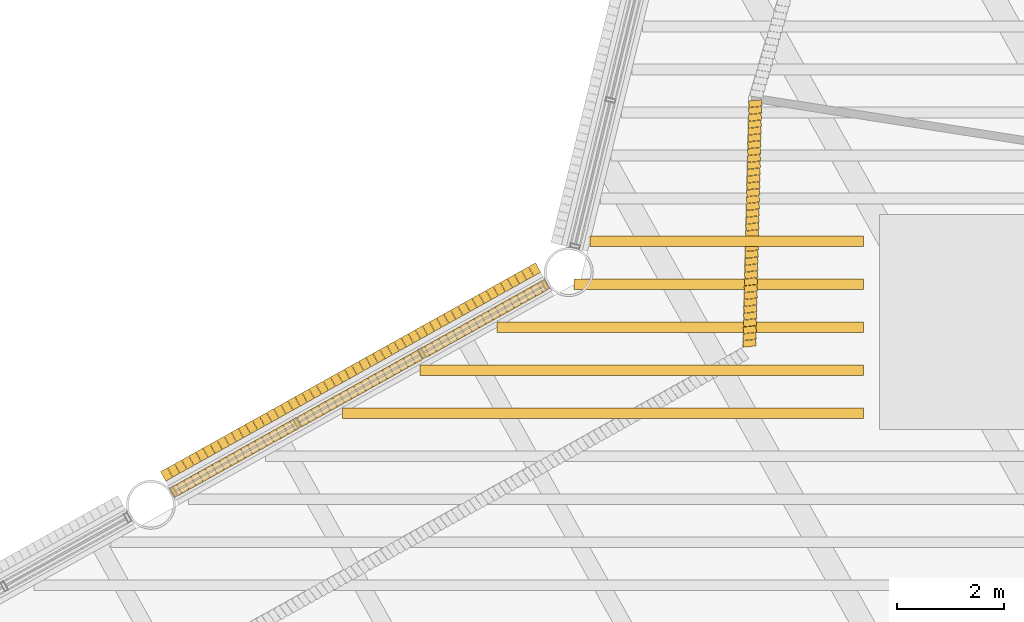
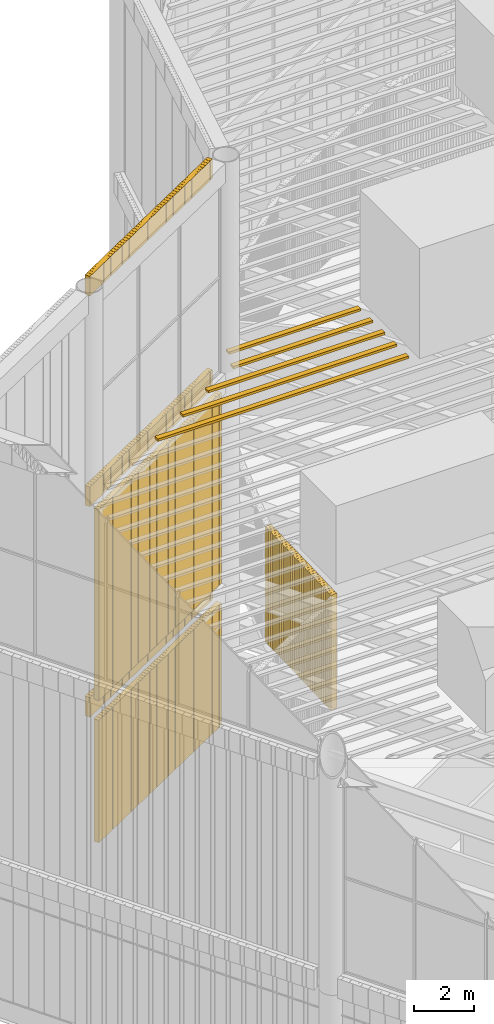
# One storey, part 99 of 117: 6 shading devices, 5 coverings.
"""IFC4 building model written with IfcOpenShell, lengths in metres."""

from ifc_helpers import new_model, si_unit, direction, frame, frame_2d, origin, origin_2d, place, context, subcontext, project, spatial, rectangle, composite_profile, extrude, material, type_object, element, save


model = new_model("IFC4")

# Units and contexts
model_context = context("Model", 3, precision=1e-05, world=origin(), true_north=direction((0.0, 1.0)))
body_context = subcontext(model_context, "Body", "Model", "MODEL_VIEW")
ifc_project = project(units=[si_unit("LENGTHUNIT", "METRE"), si_unit("AREAUNIT", "SQUARE_METRE"), si_unit("VOLUMEUNIT", "CUBIC_METRE"), si_unit("PLANEANGLEUNIT", "RADIAN"), si_unit("MASSUNIT", "GRAM", prefix="KILO")], contexts=[model_context])

# Site, building, storey
site_placement = place(None, origin())
site = spatial("IfcSite", under=ifc_project, at=site_placement, CompositionType="ELEMENT")
building_placement = place(site_placement, origin())
building = spatial("IfcBuilding", under=site, at=building_placement, Name="Tarsis Ring Headquarters", CompositionType="ELEMENT")
storey_placement = place(building_placement, frame((0.0, 0.0, 403.60009765625)))
storey = spatial("IfcBuildingStorey", under=building, at=storey_placement, Name="L95", CompositionType="ELEMENT", Elevation=403.60009765625)

# Coverings
ifc_material_1 = material(Name="Terracotta louvre", Category="masonry")
covering_type = type_object("IfcCoveringType", Name="Crown louvre fin", PredefinedType="CLADDING", material=ifc_material_1)
covering_1_placement = place(storey_placement, frame((-29.437744140625, 0.543212890625, 0.0), z_axis=(0.0, 0.0, 1.0), x_axis=(-0.873594132029, -0.486644254279, 0.0)))
element("IfcCovering", 1, at=covering_1_placement, inside=storey, type_object=covering_type, Name="Crown louvre base 14", PredefinedType="CLADDING", context=body_context, shape_type="SweptSolid", body=[
    extrude(composite_profile([rectangle(XDim=0.14501953125, YDim=0.199951171875, at=frame_2d((0.072509765625, 0.0))), rectangle(XDim=0.14501953125, YDim=0.199951171875, at=frame_2d((0.223388671875, 0.0))), rectangle(XDim=0.14501953125, YDim=0.199951171875, at=frame_2d((0.374267578125, 0.0))), rectangle(XDim=0.14501953125, YDim=0.199951171875, at=frame_2d((0.52490234375, 0.0))), rectangle(XDim=0.14501953125, YDim=0.199951171875, at=frame_2d((0.67578125, 0.0))), rectangle(XDim=0.14501953125, YDim=0.199951171875, at=frame_2d((0.82666015625, 0.0))), rectangle(XDim=0.14501953125, YDim=0.199951171875, at=frame_2d((0.9775390625, 0.0))), rectangle(XDim=0.14501953125, YDim=0.199951171875, at=frame_2d((1.12841796875, 0.0))), rectangle(XDim=0.14501953125, YDim=0.199951171875, at=frame_2d((1.279052734375, 0.0))), rectangle(XDim=0.14501953125, YDim=0.199951171875, at=frame_2d((1.429931640625, 0.0))), rectangle(XDim=0.14501953125, YDim=0.199951171875, at=frame_2d((1.580810546875, 0.0))), rectangle(XDim=0.14501953125, YDim=0.199951171875, at=frame_2d((1.731689453125, 0.0))), rectangle(XDim=0.14501953125, YDim=0.199951171875, at=frame_2d((1.882568359375, 0.0))), rectangle(XDim=0.14501953125, YDim=0.199951171875, at=frame_2d((2.033203125, 0.0))), rectangle(XDim=0.14501953125, YDim=0.199951171875, at=frame_2d((2.18408203125, 0.0))), rectangle(XDim=0.14501953125, YDim=0.199951171875, at=frame_2d((2.3349609375, 0.0))), rectangle(XDim=0.14501953125, YDim=0.199951171875, at=frame_2d((2.48583984375, 0.0))), rectangle(XDim=0.14501953125, YDim=0.199951171875, at=frame_2d((2.63671875, 0.0))), rectangle(XDim=0.14501953125, YDim=0.199951171875, at=frame_2d((2.78759765625, 0.0))), rectangle(XDim=0.14501953125, YDim=0.199951171875, at=frame_2d((2.938232421875, 0.0))), rectangle(XDim=0.14501953125, YDim=0.199951171875, at=frame_2d((3.089111328125, 0.0))), rectangle(XDim=0.14501953125, YDim=0.199951171875, at=frame_2d((3.239990234375, 0.0))), rectangle(XDim=0.14501953125, YDim=0.199951171875, at=frame_2d((3.390869140625, 0.0))), rectangle(XDim=0.14501953125, YDim=0.199951171875, at=frame_2d((3.541748046875, 0.0))), rectangle(XDim=0.14501953125, YDim=0.199951171875, at=frame_2d((3.6923828125, 0.0))), rectangle(XDim=0.14501953125, YDim=0.199951171875, at=frame_2d((3.84326171875, 0.0))), rectangle(XDim=0.14501953125, YDim=0.199951171875, at=frame_2d((3.994140625, 0.0))), rectangle(XDim=0.14501953125, YDim=0.199951171875, at=frame_2d((4.14501953125, 0.0))), rectangle(XDim=0.14501953125, YDim=0.199951171875, at=frame_2d((4.2958984375, 0.0))), rectangle(XDim=0.14501953125, YDim=0.199951171875, at=frame_2d((4.446533203125, 0.0))), rectangle(XDim=0.14501953125, YDim=0.199951171875, at=frame_2d((4.597412109375, 0.0))), rectangle(XDim=0.14501953125, YDim=0.199951171875, at=frame_2d((4.748291015625, 0.0))), rectangle(XDim=0.14501953125, YDim=0.199951171875, at=frame_2d((4.899169921875, 0.0))), rectangle(XDim=0.14501953125, YDim=0.199951171875, at=frame_2d((5.050048828125, 0.0))), rectangle(XDim=0.14501953125, YDim=0.199951171875, at=frame_2d((5.20068359375, 0.0))), rectangle(XDim=0.14501953125, YDim=0.199951171875, at=frame_2d((5.3515625, 0.0))), rectangle(XDim=0.14501953125, YDim=0.199951171875, at=frame_2d((5.50244140625, 0.0))), rectangle(XDim=0.14501953125, YDim=0.199951171875, at=frame_2d((5.6533203125, 0.0))), rectangle(XDim=0.14501953125, YDim=0.199951171875, at=frame_2d((5.80419921875, 0.0))), rectangle(XDim=0.14501953125, YDim=0.199951171875, at=frame_2d((5.955078125, 0.0))), rectangle(XDim=0.14501953125, YDim=0.199951171875, at=frame_2d((6.105712890625, 0.0))), rectangle(XDim=0.14501953125, YDim=0.199951171875, at=frame_2d((6.256591796875, 0.0))), rectangle(XDim=0.14501953125, YDim=0.199951171875, at=frame_2d((6.407470703125, 0.0))), rectangle(XDim=0.14501953125, YDim=0.199951171875, at=frame_2d((6.558349609375, 0.0))), rectangle(XDim=0.14501953125, YDim=0.199951171875, at=frame_2d((6.709228515625, 0.0))), rectangle(XDim=0.14501953125, YDim=0.199951171875, at=frame_2d((6.85986328125, 0.0))), rectangle(XDim=0.14501953125, YDim=0.199951171875, at=frame_2d((7.0107421875, 0.0))), rectangle(XDim=0.14501953125, YDim=0.199951171875, at=frame_2d((7.16162109375, 0.0))), rectangle(XDim=0.14501953125, YDim=0.199951171875, at=frame_2d((7.3125, 0.0))), rectangle(XDim=0.14501953125, YDim=0.199951171875, at=frame_2d((7.46337890625, 0.0))), rectangle(XDim=0.14501953125, YDim=0.199951171875, at=frame_2d((7.614013671875, 0.0))), rectangle(XDim=0.14501953125, YDim=0.199951171875, at=frame_2d((7.764892578125, 0.0))), rectangle(XDim=0.14501953125, YDim=0.199951171875, at=frame_2d((7.915771484375, 0.0)))]), origin(), (0.0, 0.0, 1.0), 5.0),
])
covering_2_placement = place(storey_placement, frame((-29.60791015625, 0.848876953125, 5.0), z_axis=(0.0, 0.0, 1.0), x_axis=(-0.873594132029, -0.486644254279, 0.0)))
element("IfcCovering", 2, at=covering_2_placement, inside=storey, type_object=covering_type, Name="Crown louvre fascia R14", PredefinedType="CLADDING", context=body_context, shape_type="SweptSolid", body=[
    extrude(composite_profile([rectangle(XDim=0.14501953125, YDim=0.199951171875, at=frame_2d((0.072509765625, 0.0))), rectangle(XDim=0.14501953125, YDim=0.199951171875, at=frame_2d((0.223388671875, 0.0))), rectangle(XDim=0.14501953125, YDim=0.199951171875, at=frame_2d((0.374267578125, 0.0))), rectangle(XDim=0.14501953125, YDim=0.199951171875, at=frame_2d((0.52490234375, 0.0))), rectangle(XDim=0.14501953125, YDim=0.199951171875, at=frame_2d((0.67578125, 0.0))), rectangle(XDim=0.14501953125, YDim=0.199951171875, at=frame_2d((0.82666015625, 0.0))), rectangle(XDim=0.14501953125, YDim=0.199951171875, at=frame_2d((0.9775390625, 0.0))), rectangle(XDim=0.14501953125, YDim=0.199951171875, at=frame_2d((1.12841796875, 0.0))), rectangle(XDim=0.14501953125, YDim=0.199951171875, at=frame_2d((1.279052734375, 0.0))), rectangle(XDim=0.14501953125, YDim=0.199951171875, at=frame_2d((1.429931640625, 0.0))), rectangle(XDim=0.14501953125, YDim=0.199951171875, at=frame_2d((1.580810546875, 0.0))), rectangle(XDim=0.14501953125, YDim=0.199951171875, at=frame_2d((1.731689453125, 0.0))), rectangle(XDim=0.14501953125, YDim=0.199951171875, at=frame_2d((1.882568359375, 0.0))), rectangle(XDim=0.14501953125, YDim=0.199951171875, at=frame_2d((2.033203125, 0.0))), rectangle(XDim=0.14501953125, YDim=0.199951171875, at=frame_2d((2.18408203125, 0.0))), rectangle(XDim=0.14501953125, YDim=0.199951171875, at=frame_2d((2.3349609375, 0.0))), rectangle(XDim=0.14501953125, YDim=0.199951171875, at=frame_2d((2.48583984375, 0.0))), rectangle(XDim=0.14501953125, YDim=0.199951171875, at=frame_2d((2.63671875, 0.0))), rectangle(XDim=0.14501953125, YDim=0.199951171875, at=frame_2d((2.78759765625, 0.0))), rectangle(XDim=0.14501953125, YDim=0.199951171875, at=frame_2d((2.938232421875, 0.0))), rectangle(XDim=0.14501953125, YDim=0.199951171875, at=frame_2d((3.089111328125, 0.0))), rectangle(XDim=0.14501953125, YDim=0.199951171875, at=frame_2d((3.239990234375, 0.0))), rectangle(XDim=0.14501953125, YDim=0.199951171875, at=frame_2d((3.390869140625, 0.0))), rectangle(XDim=0.14501953125, YDim=0.199951171875, at=frame_2d((3.541748046875, 0.0))), rectangle(XDim=0.14501953125, YDim=0.199951171875, at=frame_2d((3.6923828125, 0.0))), rectangle(XDim=0.14501953125, YDim=0.199951171875, at=frame_2d((3.84326171875, 0.0))), rectangle(XDim=0.14501953125, YDim=0.199951171875, at=frame_2d((3.994140625, 0.0))), rectangle(XDim=0.14501953125, YDim=0.199951171875, at=frame_2d((4.14501953125, 0.0))), rectangle(XDim=0.14501953125, YDim=0.199951171875, at=frame_2d((4.2958984375, 0.0))), rectangle(XDim=0.14501953125, YDim=0.199951171875, at=frame_2d((4.446533203125, 0.0))), rectangle(XDim=0.14501953125, YDim=0.199951171875, at=frame_2d((4.597412109375, 0.0))), rectangle(XDim=0.14501953125, YDim=0.199951171875, at=frame_2d((4.748291015625, 0.0))), rectangle(XDim=0.14501953125, YDim=0.199951171875, at=frame_2d((4.899169921875, 0.0))), rectangle(XDim=0.14501953125, YDim=0.199951171875, at=frame_2d((5.050048828125, 0.0))), rectangle(XDim=0.14501953125, YDim=0.199951171875, at=frame_2d((5.20068359375, 0.0))), rectangle(XDim=0.14501953125, YDim=0.199951171875, at=frame_2d((5.3515625, 0.0))), rectangle(XDim=0.14501953125, YDim=0.199951171875, at=frame_2d((5.50244140625, 0.0))), rectangle(XDim=0.14501953125, YDim=0.199951171875, at=frame_2d((5.6533203125, 0.0))), rectangle(XDim=0.14501953125, YDim=0.199951171875, at=frame_2d((5.80419921875, 0.0))), rectangle(XDim=0.14501953125, YDim=0.199951171875, at=frame_2d((5.955078125, 0.0))), rectangle(XDim=0.14501953125, YDim=0.199951171875, at=frame_2d((6.105712890625, 0.0))), rectangle(XDim=0.14501953125, YDim=0.199951171875, at=frame_2d((6.256591796875, 0.0))), rectangle(XDim=0.14501953125, YDim=0.199951171875, at=frame_2d((6.407470703125, 0.0))), rectangle(XDim=0.14501953125, YDim=0.199951171875, at=frame_2d((6.558349609375, 0.0))), rectangle(XDim=0.14501953125, YDim=0.199951171875, at=frame_2d((6.709228515625, 0.0))), rectangle(XDim=0.14501953125, YDim=0.199951171875, at=frame_2d((6.85986328125, 0.0))), rectangle(XDim=0.14501953125, YDim=0.199951171875, at=frame_2d((7.0107421875, 0.0))), rectangle(XDim=0.14501953125, YDim=0.199951171875, at=frame_2d((7.16162109375, 0.0))), rectangle(XDim=0.14501953125, YDim=0.199951171875, at=frame_2d((7.3125, 0.0))), rectangle(XDim=0.14501953125, YDim=0.199951171875, at=frame_2d((7.46337890625, 0.0))), rectangle(XDim=0.14501953125, YDim=0.199951171875, at=frame_2d((7.614013671875, 0.0))), rectangle(XDim=0.14501953125, YDim=0.199951171875, at=frame_2d((7.764892578125, 0.0))), rectangle(XDim=0.14501953125, YDim=0.199951171875, at=frame_2d((7.915771484375, 0.0)))]), origin(), (0.0, 0.0, 1.0), 0.7998046875),
])
covering_3_placement = place(storey_placement, frame((-29.60791015625, 0.848876953125, 13.599853515625), z_axis=(0.0, 0.0, 1.0), x_axis=(-0.873594132029, -0.486644254279, 0.0)))
element("IfcCovering", 3, at=covering_3_placement, inside=storey, type_object=covering_type, Name="Crown louvre fascia M14", PredefinedType="CLADDING", context=body_context, shape_type="SweptSolid", body=[
    extrude(composite_profile([rectangle(XDim=0.14501953125, YDim=0.199951171875, at=frame_2d((0.072509765625, 0.0))), rectangle(XDim=0.14501953125, YDim=0.199951171875, at=frame_2d((0.223388671875, 0.0))), rectangle(XDim=0.14501953125, YDim=0.199951171875, at=frame_2d((0.374267578125, 0.0))), rectangle(XDim=0.14501953125, YDim=0.199951171875, at=frame_2d((0.52490234375, 0.0))), rectangle(XDim=0.14501953125, YDim=0.199951171875, at=frame_2d((0.67578125, 0.0))), rectangle(XDim=0.14501953125, YDim=0.199951171875, at=frame_2d((0.82666015625, 0.0))), rectangle(XDim=0.14501953125, YDim=0.199951171875, at=frame_2d((0.9775390625, 0.0))), rectangle(XDim=0.14501953125, YDim=0.199951171875, at=frame_2d((1.12841796875, 0.0))), rectangle(XDim=0.14501953125, YDim=0.199951171875, at=frame_2d((1.279052734375, 0.0))), rectangle(XDim=0.14501953125, YDim=0.199951171875, at=frame_2d((1.429931640625, 0.0))), rectangle(XDim=0.14501953125, YDim=0.199951171875, at=frame_2d((1.580810546875, 0.0))), rectangle(XDim=0.14501953125, YDim=0.199951171875, at=frame_2d((1.731689453125, 0.0))), rectangle(XDim=0.14501953125, YDim=0.199951171875, at=frame_2d((1.882568359375, 0.0))), rectangle(XDim=0.14501953125, YDim=0.199951171875, at=frame_2d((2.033203125, 0.0))), rectangle(XDim=0.14501953125, YDim=0.199951171875, at=frame_2d((2.18408203125, 0.0))), rectangle(XDim=0.14501953125, YDim=0.199951171875, at=frame_2d((2.3349609375, 0.0))), rectangle(XDim=0.14501953125, YDim=0.199951171875, at=frame_2d((2.48583984375, 0.0))), rectangle(XDim=0.14501953125, YDim=0.199951171875, at=frame_2d((2.63671875, 0.0))), rectangle(XDim=0.14501953125, YDim=0.199951171875, at=frame_2d((2.78759765625, 0.0))), rectangle(XDim=0.14501953125, YDim=0.199951171875, at=frame_2d((2.938232421875, 0.0))), rectangle(XDim=0.14501953125, YDim=0.199951171875, at=frame_2d((3.089111328125, 0.0))), rectangle(XDim=0.14501953125, YDim=0.199951171875, at=frame_2d((3.239990234375, 0.0))), rectangle(XDim=0.14501953125, YDim=0.199951171875, at=frame_2d((3.390869140625, 0.0))), rectangle(XDim=0.14501953125, YDim=0.199951171875, at=frame_2d((3.541748046875, 0.0))), rectangle(XDim=0.14501953125, YDim=0.199951171875, at=frame_2d((3.6923828125, 0.0))), rectangle(XDim=0.14501953125, YDim=0.199951171875, at=frame_2d((3.84326171875, 0.0))), rectangle(XDim=0.14501953125, YDim=0.199951171875, at=frame_2d((3.994140625, 0.0))), rectangle(XDim=0.14501953125, YDim=0.199951171875, at=frame_2d((4.14501953125, 0.0))), rectangle(XDim=0.14501953125, YDim=0.199951171875, at=frame_2d((4.2958984375, 0.0))), rectangle(XDim=0.14501953125, YDim=0.199951171875, at=frame_2d((4.446533203125, 0.0))), rectangle(XDim=0.14501953125, YDim=0.199951171875, at=frame_2d((4.597412109375, 0.0))), rectangle(XDim=0.14501953125, YDim=0.199951171875, at=frame_2d((4.748291015625, 0.0))), rectangle(XDim=0.14501953125, YDim=0.199951171875, at=frame_2d((4.899169921875, 0.0))), rectangle(XDim=0.14501953125, YDim=0.199951171875, at=frame_2d((5.050048828125, 0.0))), rectangle(XDim=0.14501953125, YDim=0.199951171875, at=frame_2d((5.20068359375, 0.0))), rectangle(XDim=0.14501953125, YDim=0.199951171875, at=frame_2d((5.3515625, 0.0))), rectangle(XDim=0.14501953125, YDim=0.199951171875, at=frame_2d((5.50244140625, 0.0))), rectangle(XDim=0.14501953125, YDim=0.199951171875, at=frame_2d((5.6533203125, 0.0))), rectangle(XDim=0.14501953125, YDim=0.199951171875, at=frame_2d((5.80419921875, 0.0))), rectangle(XDim=0.14501953125, YDim=0.199951171875, at=frame_2d((5.955078125, 0.0))), rectangle(XDim=0.14501953125, YDim=0.199951171875, at=frame_2d((6.105712890625, 0.0))), rectangle(XDim=0.14501953125, YDim=0.199951171875, at=frame_2d((6.256591796875, 0.0))), rectangle(XDim=0.14501953125, YDim=0.199951171875, at=frame_2d((6.407470703125, 0.0))), rectangle(XDim=0.14501953125, YDim=0.199951171875, at=frame_2d((6.558349609375, 0.0))), rectangle(XDim=0.14501953125, YDim=0.199951171875, at=frame_2d((6.709228515625, 0.0))), rectangle(XDim=0.14501953125, YDim=0.199951171875, at=frame_2d((6.85986328125, 0.0))), rectangle(XDim=0.14501953125, YDim=0.199951171875, at=frame_2d((7.0107421875, 0.0))), rectangle(XDim=0.14501953125, YDim=0.199951171875, at=frame_2d((7.16162109375, 0.0))), rectangle(XDim=0.14501953125, YDim=0.199951171875, at=frame_2d((7.3125, 0.0))), rectangle(XDim=0.14501953125, YDim=0.199951171875, at=frame_2d((7.46337890625, 0.0))), rectangle(XDim=0.14501953125, YDim=0.199951171875, at=frame_2d((7.614013671875, 0.0))), rectangle(XDim=0.14501953125, YDim=0.199951171875, at=frame_2d((7.764892578125, 0.0))), rectangle(XDim=0.14501953125, YDim=0.199951171875, at=frame_2d((7.915771484375, 0.0)))]), origin(), (0.0, 0.0, 1.0), 0.800048828125),
])
covering_4_placement = place(storey_placement, frame((-29.60791015625, 0.848876953125, 22.199951171875), z_axis=(0.0, 0.0, 1.0), x_axis=(-0.873594132029, -0.486644254279, 0.0)))
element("IfcCovering", 4, at=covering_4_placement, inside=storey, type_object=covering_type, Name="Crown louvre fascia T14", PredefinedType="CLADDING", context=body_context, shape_type="SweptSolid", body=[
    extrude(composite_profile([rectangle(XDim=0.14501953125, YDim=0.199951171875, at=frame_2d((0.072509765625, 0.0))), rectangle(XDim=0.14501953125, YDim=0.199951171875, at=frame_2d((0.223388671875, 0.0))), rectangle(XDim=0.14501953125, YDim=0.199951171875, at=frame_2d((0.374267578125, 0.0))), rectangle(XDim=0.14501953125, YDim=0.199951171875, at=frame_2d((0.52490234375, 0.0))), rectangle(XDim=0.14501953125, YDim=0.199951171875, at=frame_2d((0.67578125, 0.0))), rectangle(XDim=0.14501953125, YDim=0.199951171875, at=frame_2d((0.82666015625, 0.0))), rectangle(XDim=0.14501953125, YDim=0.199951171875, at=frame_2d((0.9775390625, 0.0))), rectangle(XDim=0.14501953125, YDim=0.199951171875, at=frame_2d((1.12841796875, 0.0))), rectangle(XDim=0.14501953125, YDim=0.199951171875, at=frame_2d((1.279052734375, 0.0))), rectangle(XDim=0.14501953125, YDim=0.199951171875, at=frame_2d((1.429931640625, 0.0))), rectangle(XDim=0.14501953125, YDim=0.199951171875, at=frame_2d((1.580810546875, 0.0))), rectangle(XDim=0.14501953125, YDim=0.199951171875, at=frame_2d((1.731689453125, 0.0))), rectangle(XDim=0.14501953125, YDim=0.199951171875, at=frame_2d((1.882568359375, 0.0))), rectangle(XDim=0.14501953125, YDim=0.199951171875, at=frame_2d((2.033203125, 0.0))), rectangle(XDim=0.14501953125, YDim=0.199951171875, at=frame_2d((2.18408203125, 0.0))), rectangle(XDim=0.14501953125, YDim=0.199951171875, at=frame_2d((2.3349609375, 0.0))), rectangle(XDim=0.14501953125, YDim=0.199951171875, at=frame_2d((2.48583984375, 0.0))), rectangle(XDim=0.14501953125, YDim=0.199951171875, at=frame_2d((2.63671875, 0.0))), rectangle(XDim=0.14501953125, YDim=0.199951171875, at=frame_2d((2.78759765625, 0.0))), rectangle(XDim=0.14501953125, YDim=0.199951171875, at=frame_2d((2.938232421875, 0.0))), rectangle(XDim=0.14501953125, YDim=0.199951171875, at=frame_2d((3.089111328125, 0.0))), rectangle(XDim=0.14501953125, YDim=0.199951171875, at=frame_2d((3.239990234375, 0.0))), rectangle(XDim=0.14501953125, YDim=0.199951171875, at=frame_2d((3.390869140625, 0.0))), rectangle(XDim=0.14501953125, YDim=0.199951171875, at=frame_2d((3.541748046875, 0.0))), rectangle(XDim=0.14501953125, YDim=0.199951171875, at=frame_2d((3.6923828125, 0.0))), rectangle(XDim=0.14501953125, YDim=0.199951171875, at=frame_2d((3.84326171875, 0.0))), rectangle(XDim=0.14501953125, YDim=0.199951171875, at=frame_2d((3.994140625, 0.0))), rectangle(XDim=0.14501953125, YDim=0.199951171875, at=frame_2d((4.14501953125, 0.0))), rectangle(XDim=0.14501953125, YDim=0.199951171875, at=frame_2d((4.2958984375, 0.0))), rectangle(XDim=0.14501953125, YDim=0.199951171875, at=frame_2d((4.446533203125, 0.0))), rectangle(XDim=0.14501953125, YDim=0.199951171875, at=frame_2d((4.597412109375, 0.0))), rectangle(XDim=0.14501953125, YDim=0.199951171875, at=frame_2d((4.748291015625, 0.0))), rectangle(XDim=0.14501953125, YDim=0.199951171875, at=frame_2d((4.899169921875, 0.0))), rectangle(XDim=0.14501953125, YDim=0.199951171875, at=frame_2d((5.050048828125, 0.0))), rectangle(XDim=0.14501953125, YDim=0.199951171875, at=frame_2d((5.20068359375, 0.0))), rectangle(XDim=0.14501953125, YDim=0.199951171875, at=frame_2d((5.3515625, 0.0))), rectangle(XDim=0.14501953125, YDim=0.199951171875, at=frame_2d((5.50244140625, 0.0))), rectangle(XDim=0.14501953125, YDim=0.199951171875, at=frame_2d((5.6533203125, 0.0))), rectangle(XDim=0.14501953125, YDim=0.199951171875, at=frame_2d((5.80419921875, 0.0))), rectangle(XDim=0.14501953125, YDim=0.199951171875, at=frame_2d((5.955078125, 0.0))), rectangle(XDim=0.14501953125, YDim=0.199951171875, at=frame_2d((6.105712890625, 0.0))), rectangle(XDim=0.14501953125, YDim=0.199951171875, at=frame_2d((6.256591796875, 0.0))), rectangle(XDim=0.14501953125, YDim=0.199951171875, at=frame_2d((6.407470703125, 0.0))), rectangle(XDim=0.14501953125, YDim=0.199951171875, at=frame_2d((6.558349609375, 0.0))), rectangle(XDim=0.14501953125, YDim=0.199951171875, at=frame_2d((6.709228515625, 0.0))), rectangle(XDim=0.14501953125, YDim=0.199951171875, at=frame_2d((6.85986328125, 0.0))), rectangle(XDim=0.14501953125, YDim=0.199951171875, at=frame_2d((7.0107421875, 0.0))), rectangle(XDim=0.14501953125, YDim=0.199951171875, at=frame_2d((7.16162109375, 0.0))), rectangle(XDim=0.14501953125, YDim=0.199951171875, at=frame_2d((7.3125, 0.0))), rectangle(XDim=0.14501953125, YDim=0.199951171875, at=frame_2d((7.46337890625, 0.0))), rectangle(XDim=0.14501953125, YDim=0.199951171875, at=frame_2d((7.614013671875, 0.0))), rectangle(XDim=0.14501953125, YDim=0.199951171875, at=frame_2d((7.764892578125, 0.0))), rectangle(XDim=0.14501953125, YDim=0.199951171875, at=frame_2d((7.915771484375, 0.0)))]), origin(), (0.0, 0.0, 1.0), 0.800048828125),
])
covering_5_placement = place(storey_placement, frame((-29.437744140625, 0.543212890625, 5.7998046875), z_axis=(0.0, 0.0, 1.0), x_axis=(-0.873594132029, -0.486644254279, 0.0)))
element("IfcCovering", 5, at=covering_5_placement, inside=storey, type_object=covering_type, Name="Crown louvre L14", PredefinedType="CLADDING", context=body_context, shape_type="SweptSolid", body=[
    extrude(composite_profile([rectangle(XDim=0.14501953125, YDim=0.199951171875, at=frame_2d((0.072509765625, 0.0))), rectangle(XDim=0.14501953125, YDim=0.199951171875, at=frame_2d((0.223388671875, 0.0))), rectangle(XDim=0.14501953125, YDim=0.199951171875, at=frame_2d((0.374267578125, 0.0))), rectangle(XDim=0.14501953125, YDim=0.199951171875, at=frame_2d((0.52490234375, 0.0))), rectangle(XDim=0.14501953125, YDim=0.199951171875, at=frame_2d((0.67578125, 0.0))), rectangle(XDim=0.14501953125, YDim=0.199951171875, at=frame_2d((0.82666015625, 0.0))), rectangle(XDim=0.14501953125, YDim=0.199951171875, at=frame_2d((0.9775390625, 0.0))), rectangle(XDim=0.14501953125, YDim=0.199951171875, at=frame_2d((1.12841796875, 0.0))), rectangle(XDim=0.14501953125, YDim=0.199951171875, at=frame_2d((1.279052734375, 0.0))), rectangle(XDim=0.14501953125, YDim=0.199951171875, at=frame_2d((1.429931640625, 0.0))), rectangle(XDim=0.14501953125, YDim=0.199951171875, at=frame_2d((1.580810546875, 0.0))), rectangle(XDim=0.14501953125, YDim=0.199951171875, at=frame_2d((1.731689453125, 0.0))), rectangle(XDim=0.14501953125, YDim=0.199951171875, at=frame_2d((1.882568359375, 0.0))), rectangle(XDim=0.14501953125, YDim=0.199951171875, at=frame_2d((2.033203125, 0.0))), rectangle(XDim=0.14501953125, YDim=0.199951171875, at=frame_2d((2.18408203125, 0.0))), rectangle(XDim=0.14501953125, YDim=0.199951171875, at=frame_2d((2.3349609375, 0.0))), rectangle(XDim=0.14501953125, YDim=0.199951171875, at=frame_2d((2.48583984375, 0.0))), rectangle(XDim=0.14501953125, YDim=0.199951171875, at=frame_2d((2.63671875, 0.0))), rectangle(XDim=0.14501953125, YDim=0.199951171875, at=frame_2d((2.78759765625, 0.0))), rectangle(XDim=0.14501953125, YDim=0.199951171875, at=frame_2d((2.938232421875, 0.0))), rectangle(XDim=0.14501953125, YDim=0.199951171875, at=frame_2d((3.089111328125, 0.0))), rectangle(XDim=0.14501953125, YDim=0.199951171875, at=frame_2d((3.239990234375, 0.0))), rectangle(XDim=0.14501953125, YDim=0.199951171875, at=frame_2d((3.390869140625, 0.0))), rectangle(XDim=0.14501953125, YDim=0.199951171875, at=frame_2d((3.541748046875, 0.0))), rectangle(XDim=0.14501953125, YDim=0.199951171875, at=frame_2d((3.6923828125, 0.0))), rectangle(XDim=0.14501953125, YDim=0.199951171875, at=frame_2d((3.84326171875, 0.0))), rectangle(XDim=0.14501953125, YDim=0.199951171875, at=frame_2d((3.994140625, 0.0))), rectangle(XDim=0.14501953125, YDim=0.199951171875, at=frame_2d((4.14501953125, 0.0))), rectangle(XDim=0.14501953125, YDim=0.199951171875, at=frame_2d((4.2958984375, 0.0))), rectangle(XDim=0.14501953125, YDim=0.199951171875, at=frame_2d((4.446533203125, 0.0))), rectangle(XDim=0.14501953125, YDim=0.199951171875, at=frame_2d((4.597412109375, 0.0))), rectangle(XDim=0.14501953125, YDim=0.199951171875, at=frame_2d((4.748291015625, 0.0))), rectangle(XDim=0.14501953125, YDim=0.199951171875, at=frame_2d((4.899169921875, 0.0))), rectangle(XDim=0.14501953125, YDim=0.199951171875, at=frame_2d((5.050048828125, 0.0))), rectangle(XDim=0.14501953125, YDim=0.199951171875, at=frame_2d((5.20068359375, 0.0))), rectangle(XDim=0.14501953125, YDim=0.199951171875, at=frame_2d((5.3515625, 0.0))), rectangle(XDim=0.14501953125, YDim=0.199951171875, at=frame_2d((5.50244140625, 0.0))), rectangle(XDim=0.14501953125, YDim=0.199951171875, at=frame_2d((5.6533203125, 0.0))), rectangle(XDim=0.14501953125, YDim=0.199951171875, at=frame_2d((5.80419921875, 0.0))), rectangle(XDim=0.14501953125, YDim=0.199951171875, at=frame_2d((5.955078125, 0.0))), rectangle(XDim=0.14501953125, YDim=0.199951171875, at=frame_2d((6.105712890625, 0.0))), rectangle(XDim=0.14501953125, YDim=0.199951171875, at=frame_2d((6.256591796875, 0.0))), rectangle(XDim=0.14501953125, YDim=0.199951171875, at=frame_2d((6.407470703125, 0.0))), rectangle(XDim=0.14501953125, YDim=0.199951171875, at=frame_2d((6.558349609375, 0.0))), rectangle(XDim=0.14501953125, YDim=0.199951171875, at=frame_2d((6.709228515625, 0.0))), rectangle(XDim=0.14501953125, YDim=0.199951171875, at=frame_2d((6.85986328125, 0.0))), rectangle(XDim=0.14501953125, YDim=0.199951171875, at=frame_2d((7.0107421875, 0.0))), rectangle(XDim=0.14501953125, YDim=0.199951171875, at=frame_2d((7.16162109375, 0.0))), rectangle(XDim=0.14501953125, YDim=0.199951171875, at=frame_2d((7.3125, 0.0))), rectangle(XDim=0.14501953125, YDim=0.199951171875, at=frame_2d((7.46337890625, 0.0))), rectangle(XDim=0.14501953125, YDim=0.199951171875, at=frame_2d((7.614013671875, 0.0))), rectangle(XDim=0.14501953125, YDim=0.199951171875, at=frame_2d((7.764892578125, 0.0))), rectangle(XDim=0.14501953125, YDim=0.199951171875, at=frame_2d((7.915771484375, 0.0)))]), origin(), (0.0, 0.0, 1.0), 7.800048828125),
])

# Shading devices
ifc_material_2 = material(Name="Aluminium louvre", Category="aluminium")
shading_device_type_1 = type_object("IfcShadingDeviceType", Name="Crown roof louvre blade", PredefinedType="USERDEFINED", material=ifc_material_2)
shading_device_1_placement = place(storey_placement, frame((-28.39892578125, -1.8642578125, 14.39990234375), z_axis=(0.0, 0.0, 1.0), x_axis=(1.0, 0.0, 0.0)))
element("IfcShadingDevice", 6, at=shading_device_1_placement, inside=storey, type_object=shading_device_type_1, Name="Crown roof louvre 64", ObjectType="Crown roof louvre", PredefinedType="USERDEFINED", context=body_context, shape_type="SweptSolid", body=[
    extrude(rectangle(XDim=9.693115234375, YDim=0.199951171875, at=origin_2d()), origin(), (0.0, 0.0, 1.0), 0.10009765625),
])
shading_device_2_placement = place(storey_placement, frame((-27.680908203125, -1.064208984375, 14.39990234375), z_axis=(0.0, 0.0, 1.0), x_axis=(1.0, 0.0, 0.0)))
element("IfcShadingDevice", 7, at=shading_device_2_placement, inside=storey, type_object=shading_device_type_1, Name="Crown roof louvre 66", ObjectType="Crown roof louvre", PredefinedType="USERDEFINED", context=body_context, shape_type="SweptSolid", body=[
    extrude(rectangle(XDim=8.2568359375, YDim=0.199951171875, at=origin_2d()), origin(), (0.0, 0.0, 1.0), 0.10009765625),
])
shading_device_3_placement = place(storey_placement, frame((-26.962890625, -0.26416015625, 14.39990234375), z_axis=(0.0, 0.0, 1.0), x_axis=(1.0, 0.0, 0.0)))
element("IfcShadingDevice", 8, at=shading_device_3_placement, inside=storey, type_object=shading_device_type_1, Name="Crown roof louvre 68", ObjectType="Crown roof louvre", PredefinedType="USERDEFINED", context=body_context, shape_type="SweptSolid", body=[
    extrude(rectangle(XDim=6.82080078125, YDim=0.199951171875, at=origin_2d()), origin(), (0.0, 0.0, 1.0), 0.10009765625),
])
shading_device_4_placement = place(storey_placement, frame((-26.24462890625, 0.535888671875, 14.39990234375), z_axis=(0.0, 0.0, 1.0), x_axis=(1.0, 0.0, 0.0)))
element("IfcShadingDevice", 9, at=shading_device_4_placement, inside=storey, type_object=shading_device_type_1, Name="Crown roof louvre 70", ObjectType="Crown roof louvre", PredefinedType="USERDEFINED", context=body_context, shape_type="SweptSolid", body=[
    extrude(rectangle(XDim=5.384521484375, YDim=0.199951171875, at=origin_2d()), origin(), (0.0, 0.0, 1.0), 0.10009765625),
])
shading_device_5_placement = place(storey_placement, frame((-26.097412109375, 1.335693359375, 14.39990234375), z_axis=(0.0, 0.0, 1.0), x_axis=(1.0, 0.0, 0.0)))
element("IfcShadingDevice", 10, at=shading_device_5_placement, inside=storey, type_object=shading_device_type_1, Name="Crown roof louvre 72", ObjectType="Crown roof louvre", PredefinedType="USERDEFINED", context=body_context, shape_type="SweptSolid", body=[
    extrude(rectangle(XDim=5.08984375, YDim=0.199951171875, at=origin_2d()), origin(), (0.0, 0.0, 1.0), 0.10009765625),
])
shading_device_type_2 = type_object("IfcShadingDeviceType", Name="Plant louvre fin", PredefinedType="USERDEFINED", material=ifc_material_2)
shading_device_6_placement = place(storey_placement, frame((-25.564208984375, 3.9775390625, 0.0), z_axis=(0.0, 0.0, 1.0), x_axis=(-0.024056254626, -0.999735645554, 0.0)))
element("IfcShadingDevice", 11, at=shading_device_6_placement, inside=storey, type_object=shading_device_type_2, Name="Louvre L95-30", ObjectType="Louvre", PredefinedType="USERDEFINED", context=body_context, shape_type="SweptSolid", body=[
    extrude(composite_profile([rectangle(XDim=0.1201171875, YDim=0.239990234375, at=frame_2d((0.076171875, 0.0), x_axis=(0.990268068742, 0.13917310096))), rectangle(XDim=0.1201171875, YDim=0.239990234375, at=frame_2d((0.203857421875, 0.0), x_axis=(0.990268068742, 0.13917310096))), rectangle(XDim=0.1201171875, YDim=0.239990234375, at=frame_2d((0.331298828125, 0.0), x_axis=(0.990268068742, 0.13917310096))), rectangle(XDim=0.1201171875, YDim=0.239990234375, at=frame_2d((0.458984375, 0.0), x_axis=(0.990268068742, 0.13917310096))), rectangle(XDim=0.1201171875, YDim=0.239990234375, at=frame_2d((0.58642578125, 0.0), x_axis=(0.990268068742, 0.13917310096))), rectangle(XDim=0.1201171875, YDim=0.239990234375, at=frame_2d((0.714111328125, 0.0), x_axis=(0.990268068742, 0.13917310096))), rectangle(XDim=0.1201171875, YDim=0.239990234375, at=frame_2d((0.841796875, 0.0), x_axis=(0.990268068742, 0.13917310096))), rectangle(XDim=0.1201171875, YDim=0.239990234375, at=frame_2d((0.96923828125, 0.0), x_axis=(0.990268068742, 0.13917310096))), rectangle(XDim=0.1201171875, YDim=0.239990234375, at=frame_2d((1.096923828125, 0.0), x_axis=(0.990268068742, 0.13917310096))), rectangle(XDim=0.1201171875, YDim=0.239990234375, at=frame_2d((1.224365234375, 0.0), x_axis=(0.990268068742, 0.13917310096))), rectangle(XDim=0.1201171875, YDim=0.239990234375, at=frame_2d((1.35205078125, 0.0), x_axis=(0.990268068742, 0.13917310096))), rectangle(XDim=0.1201171875, YDim=0.239990234375, at=frame_2d((1.479736328125, 0.0), x_axis=(0.990268068742, 0.13917310096))), rectangle(XDim=0.1201171875, YDim=0.239990234375, at=frame_2d((1.607177734375, 0.0), x_axis=(0.990268068742, 0.13917310096))), rectangle(XDim=0.1201171875, YDim=0.239990234375, at=frame_2d((1.73486328125, 0.0), x_axis=(0.990268068742, 0.13917310096))), rectangle(XDim=0.1201171875, YDim=0.239990234375, at=frame_2d((1.8623046875, 0.0), x_axis=(0.990268068742, 0.13917310096))), rectangle(XDim=0.1201171875, YDim=0.239990234375, at=frame_2d((1.989990234375, 0.0), x_axis=(0.990268068742, 0.13917310096))), rectangle(XDim=0.1201171875, YDim=0.239990234375, at=frame_2d((2.11767578125, 0.0), x_axis=(0.990268068742, 0.13917310096))), rectangle(XDim=0.1201171875, YDim=0.239990234375, at=frame_2d((2.2451171875, 0.0), x_axis=(0.990268068742, 0.13917310096))), rectangle(XDim=0.1201171875, YDim=0.239990234375, at=frame_2d((2.372802734375, 0.0), x_axis=(0.990268068742, 0.13917310096))), rectangle(XDim=0.1201171875, YDim=0.239990234375, at=frame_2d((2.500244140625, 0.0), x_axis=(0.990268068742, 0.13917310096))), rectangle(XDim=0.1201171875, YDim=0.239990234375, at=frame_2d((2.6279296875, 0.0), x_axis=(0.990268068742, 0.13917310096))), rectangle(XDim=0.1201171875, YDim=0.239990234375, at=frame_2d((2.755615234375, 0.0), x_axis=(0.990268068742, 0.13917310096))), rectangle(XDim=0.1201171875, YDim=0.239990234375, at=frame_2d((2.883056640625, 0.0), x_axis=(0.990268068742, 0.13917310096))), rectangle(XDim=0.1201171875, YDim=0.239990234375, at=frame_2d((3.0107421875, 0.0), x_axis=(0.990268068742, 0.13917310096))), rectangle(XDim=0.1201171875, YDim=0.239990234375, at=frame_2d((3.13818359375, 0.0), x_axis=(0.990268068742, 0.13917310096))), rectangle(XDim=0.1201171875, YDim=0.239990234375, at=frame_2d((3.265869140625, 0.0), x_axis=(0.990268068742, 0.13917310096))), rectangle(XDim=0.1201171875, YDim=0.239990234375, at=frame_2d((3.3935546875, 0.0), x_axis=(0.990268068742, 0.13917310096))), rectangle(XDim=0.1201171875, YDim=0.239990234375, at=frame_2d((3.52099609375, 0.0), x_axis=(0.990268068742, 0.13917310096))), rectangle(XDim=0.1201171875, YDim=0.239990234375, at=frame_2d((3.648681640625, 0.0), x_axis=(0.990268068742, 0.13917310096))), rectangle(XDim=0.1201171875, YDim=0.239990234375, at=frame_2d((3.776123046875, 0.0), x_axis=(0.990268068742, 0.13917310096))), rectangle(XDim=0.1201171875, YDim=0.239990234375, at=frame_2d((3.90380859375, 0.0), x_axis=(0.990268068742, 0.13917310096))), rectangle(XDim=0.1201171875, YDim=0.239990234375, at=frame_2d((4.031494140625, 0.0), x_axis=(0.990268068742, 0.13917310096))), rectangle(XDim=0.1201171875, YDim=0.239990234375, at=frame_2d((4.158935546875, 0.0), x_axis=(0.990268068742, 0.13917310096))), rectangle(XDim=0.1201171875, YDim=0.239990234375, at=frame_2d((4.28662109375, 0.0), x_axis=(0.990268068742, 0.13917310096))), rectangle(XDim=0.1201171875, YDim=0.239990234375, at=frame_2d((4.4140625, 0.0), x_axis=(0.990268068742, 0.13917310096))), rectangle(XDim=0.1201171875, YDim=0.239990234375, at=frame_2d((4.541748046875, 0.0), x_axis=(0.990268068742, 0.13917310096)))]), origin(), (0.0, 0.0, 1.0), 4.699951171875),
])

save(model, "model.ifc")
